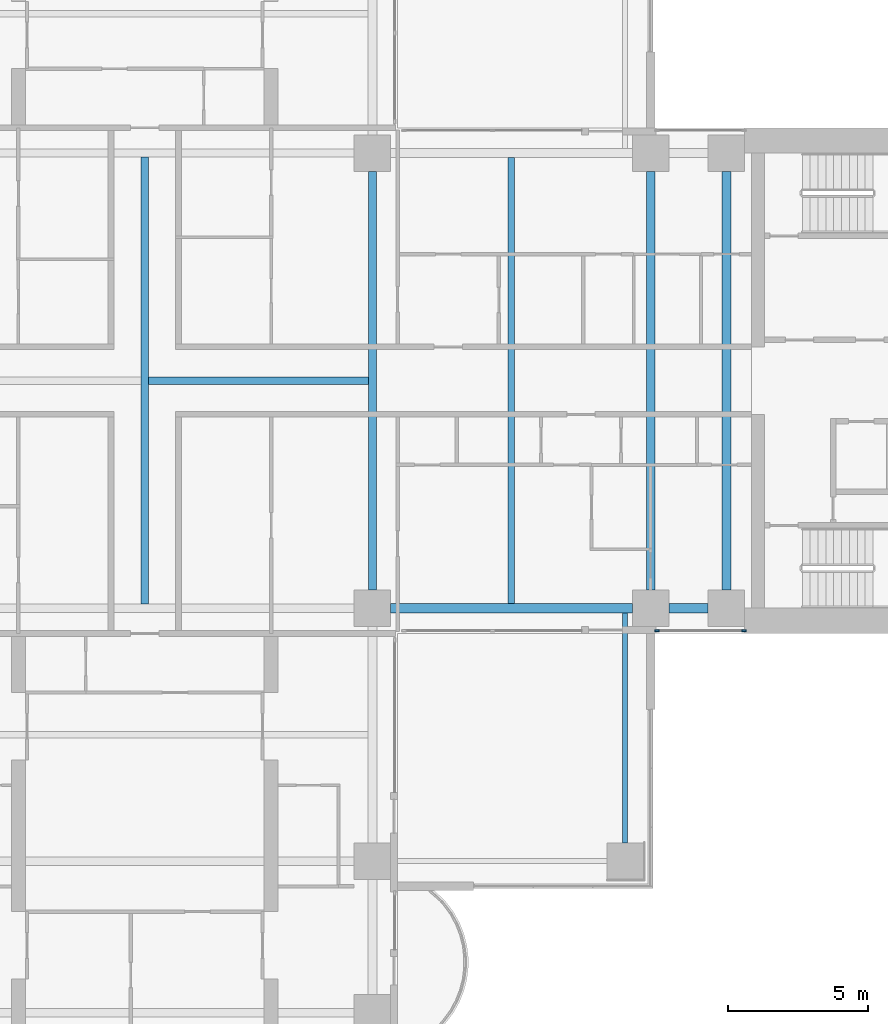
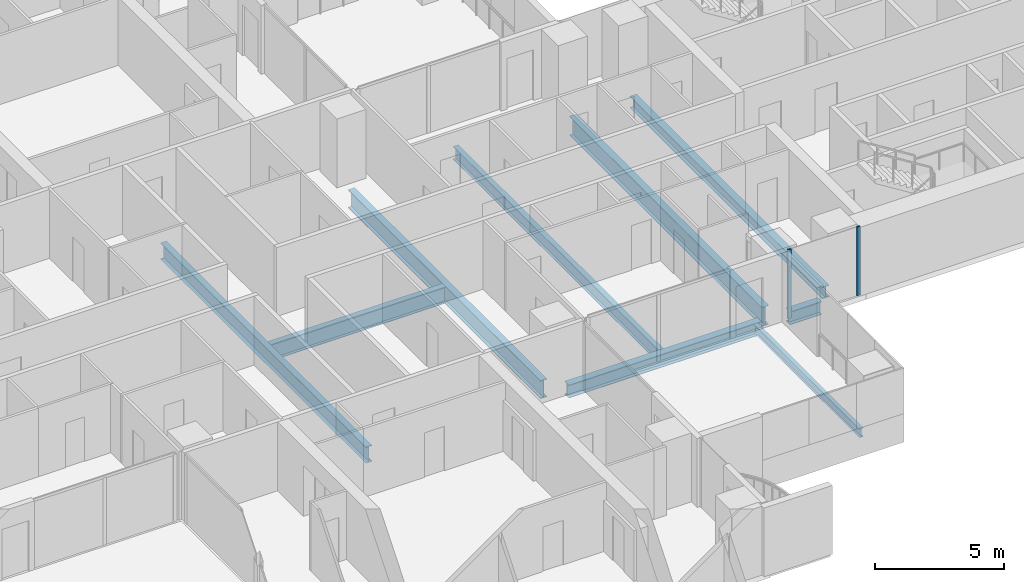
# One storey, part 4 of 21: 9 beams, 2 members, 1 element without a shape of its own.
"""IFC4 building model written with IfcOpenShell, lengths in metres."""

import ifcopenshell
import ifcopenshell.guid

model = None  # the IFC model being written
_history = None  # IfcOwnerHistory: only IFC2X3 demands one
_inside = {}  # id of a spatial element -> (the spatial element, [elements in it])
_under = {}  # id of a project, library or spatial element -> (it, [spatial elements below it])
_declared = {}  # id of a project -> (the project, [libraries it declares])
_typed = {}  # id of a type object -> (the type object, [elements of that type])
_made_of = {}  # id of a material, layer set ... -> (it, [elements and type objects made of it])


def new_model(schema):
    """Start an empty IFC model of exactly this schema.

    Asked for "IFC4X3", IfcOpenShell would pick the latest addendum, in which some entities
    have other attributes; the version numbers below select the first issue.
    IFC2X3 requires an IfcOwnerHistory on every rooted entity: one is made here for all.
    """
    global model, _history
    if schema == "IFC4X3":
        model = ifcopenshell.file(schema_version=(4, 3, 0, 0))
    else:
        model = ifcopenshell.file(schema=schema)
    _inside.clear()
    _under.clear()
    _declared.clear()
    _typed.clear()
    _made_of.clear()
    _history = None
    if model.schema == "IFC2X3":
        org = make("IfcOrganization", Name="unknown")
        user = make(
            "IfcPersonAndOrganization",
            ThePerson=make("IfcPerson", FamilyName="unknown"),
            TheOrganization=org,
        )
        app = make(
            "IfcApplication",
            ApplicationDeveloper=org,
            Version="unknown",
            ApplicationFullName="unknown",
            ApplicationIdentifier="unknown",
        )
        _history = make(
            "IfcOwnerHistory",
            OwningUser=user,
            OwningApplication=app,
            ChangeAction="ADDED",
            CreationDate=0,
        )
    return model


def make(cls, **values):
    """One entity of the class cls with the attributes given. An attribute that is None is left unset."""
    return model.create_entity(
        cls, **{name: value for name, value in values.items() if value is not None}
    )


def rooted(cls, **values):
    """An entity with a GlobalId (a new one), such as an element, a storey or a relation."""
    return make(cls, GlobalId=ifcopenshell.guid.new(), OwnerHistory=_history, **values)


def si_unit(unit_type, name, prefix=None):
    """IfcSIUnit, for example si_unit("LENGTHUNIT", "METRE", prefix="MILLI")."""
    return make("IfcSIUnit", UnitType=unit_type, Prefix=prefix, Name=name)


def assignment(units):
    """IfcUnitAssignment: the units of a project."""
    return None if units is None else make("IfcUnitAssignment", Units=units)


def point(xyz):
    """IfcCartesianPoint."""
    return None if xyz is None else make("IfcCartesianPoint", Coordinates=xyz)


def direction(xyz):
    """IfcDirection."""
    return None if xyz is None else make("IfcDirection", DirectionRatios=xyz)


def frame(location, z_axis=None, x_axis=None):
    """IfcAxis2Placement3D, a coordinate frame: its origin and axes. An axis left out is left unset."""
    return make(
        "IfcAxis2Placement3D",
        Location=point(location),
        Axis=direction(z_axis),
        RefDirection=direction(x_axis),
    )


def frame_2d(location, x_axis=None):
    """IfcAxis2Placement2D, a coordinate frame in the plane: its origin and x axis."""
    return make(
        "IfcAxis2Placement2D", Location=point(location), RefDirection=direction(x_axis)
    )


def origin():
    """The frame at (0, 0, 0) with its axes left unset."""
    return frame((0.0, 0.0, 0.0))


def origin_2d():
    """The frame at (0, 0) in the plane with its x axis left unset."""
    return frame_2d((0.0, 0.0))


def place(relative_to, where):
    """IfcLocalPlacement: puts the frame where relative to a parent placement (None: the world)."""
    return make(
        "IfcLocalPlacement", PlacementRelTo=relative_to, RelativePlacement=where
    )


def context(
    kind, dimensions, precision=None, world=None, true_north=None, identifier=None
):
    """IfcGeometricRepresentationContext, for example the 3D "Model" context."""
    return make(
        "IfcGeometricRepresentationContext",
        ContextIdentifier=identifier,
        ContextType=kind,
        CoordinateSpaceDimension=dimensions,
        Precision=precision,
        WorldCoordinateSystem=world,
        TrueNorth=true_north,
    )


def subcontext(parent, identifier, kind, view, scale=None):
    """IfcGeometricRepresentationSubContext, for example "Body" below "Model"."""
    return make(
        "IfcGeometricRepresentationSubContext",
        ContextIdentifier=identifier,
        ContextType=kind,
        ParentContext=parent,
        TargetScale=scale,
        TargetView=view,
    )


def project(units=None, contexts=None):
    """IfcProject with its units and contexts."""
    return rooted(
        "IfcProject",
        Name="project",
        RepresentationContexts=contexts,
        UnitsInContext=assignment(units),
    )


def spatial(cls, under=None, at=None, **own):
    """A site, building, storey or space (cls), placed at a placement, below another one or the project."""
    s = rooted(cls, ObjectPlacement=at, **own)
    if under is not None:
        _under.setdefault(under.id(), (under, []))[1].append(s)
    return s


def profile(cls, at=None, kind="AREA", **sizes):
    """A parametric profile (cls). Its sizes go by their IFC names, for example OverallWidth=200.0."""
    return make(cls, ProfileType=kind, Position=at, **sizes)


def rectangle(**sizes):
    """IfcRectangleProfileDef."""
    return profile("IfcRectangleProfileDef", **sizes)


def i_section(**sizes):
    """IfcIShapeProfileDef."""
    return profile("IfcIShapeProfileDef", **sizes)


def extrude(swept, where, along, depth):
    """IfcExtrudedAreaSolid: the profile swept, set in the frame where, extruded along a direction by depth."""
    return make(
        "IfcExtrudedAreaSolid",
        SweptArea=swept,
        Position=where,
        ExtrudedDirection=direction(along),
        Depth=depth,
    )


def shape(context_of_items, identifier, shape_type, items):
    """IfcShapeRepresentation: the items that make up one representation, for example the "Body"."""
    return make(
        "IfcShapeRepresentation",
        ContextOfItems=context_of_items,
        RepresentationIdentifier=identifier,
        RepresentationType=shape_type,
        Items=items,
    )


def material(Name=None, Category=None):
    """IfcMaterial."""
    return make("IfcMaterial", Name=Name, Category=Category)


def material_profile(
    of_material, cross_section, Name=None, Category=None, Priority=None
):
    """IfcMaterialProfile: a cross section and its material."""
    return make(
        "IfcMaterialProfile",
        Name=Name,
        Material=of_material,
        Profile=cross_section,
        Priority=Priority,
        Category=Category,
    )


def profile_set(profiles, Name=None, composite=None):
    """IfcMaterialProfileSet."""
    return make(
        "IfcMaterialProfileSet",
        Name=Name,
        MaterialProfiles=profiles,
        CompositeProfile=composite,
    )


def made_of(thing, what):
    """Note that an element or type object is made of a material, layer set ...; save() writes the relation."""
    if what is not None:
        _made_of.setdefault(what.id(), (what, []))[1].append(thing)
    return thing


def type_object(cls, material=None, **own):
    """A type object (cls), such as IfcWallType, which elements share."""
    return made_of(rooted(cls, **own), material)


def element(
    cls,
    number,
    at=None,
    inside=None,
    cuts=None,
    type_object=None,
    material=None,
    context=None,
    identifier="Body",
    shape_type=None,
    held_by="IfcProductDefinitionShape",
    body=None,
    shapes=None,
    **own,
):
    """One element of the class cls, such as IfcWall. Its Tag is "e" and its number.

    at: its placement. inside: the storey or other place that contains it. cuts: it is an
    opening in that element (IfcRelVoidsElement). A single representation is given by context,
    identifier, shape_type and body (its items); several are given by shapes. held_by: the class
    of the entity that holds the representations. save() writes the other relations.
    """
    e = rooted(cls, Tag="e%d" % number, ObjectPlacement=at, **own)
    if body is not None:
        shapes = [shape(context, identifier, shape_type, body)]
    if shapes is not None:
        e.Representation = make(held_by, Representations=shapes)
    if inside is not None:
        _inside.setdefault(inside.id(), (inside, []))[1].append(e)
    if cuts is not None:
        rooted(
            "IfcRelVoidsElement", RelatingBuildingElement=cuts, RelatedOpeningElement=e
        )
    if type_object is not None:
        _typed.setdefault(type_object.id(), (type_object, []))[1].append(e)
    return made_of(e, material)


def aggregate(whole, parts):
    """IfcRelAggregates: a whole, such as a stair, and the parts it consists of."""
    return rooted("IfcRelAggregates", RelatingObject=whole, RelatedObjects=parts)


def save(model, path):
    """Write the relations noted so far, then the file.

    IfcRelAggregates (storeys below a building ...), IfcRelContainedInSpatialStructure (elements
    in a storey), IfcRelDefinesByType, IfcRelAssociatesMaterial and IfcRelDeclares: one each for
    every whole, place, type object, material and project.
    """
    for whole, parts in _under.values():
        aggregate(whole, parts)
    for where, things in _inside.values():
        rooted(
            "IfcRelContainedInSpatialStructure",
            RelatedElements=things,
            RelatingStructure=where,
        )
    for kind, things in _typed.values():
        rooted("IfcRelDefinesByType", RelatedObjects=things, RelatingType=kind)
    for what, things in _made_of.values():
        rooted("IfcRelAssociatesMaterial", RelatedObjects=things, RelatingMaterial=what)
    for by, libraries in _declared.values():
        rooted("IfcRelDeclares", RelatingContext=by, RelatedDefinitions=libraries)
    model.write(path)


model = new_model("IFC4")

# Units and contexts
model_context = context("Model", 3, precision=1e-05, world=origin(), true_north=direction((0.0, 1.0)))
body_context = subcontext(model_context, "Body", "Model", "MODEL_VIEW")
ifc_project = project(units=[si_unit("LENGTHUNIT", "METRE"), si_unit("AREAUNIT", "SQUARE_METRE"), si_unit("VOLUMEUNIT", "CUBIC_METRE"), si_unit("PLANEANGLEUNIT", "RADIAN"), si_unit("MASSUNIT", "GRAM", prefix="KILO")], contexts=[model_context])

# Site, building, storey
site_placement = place(None, origin())
site = spatial("IfcSite", under=ifc_project, at=site_placement, CompositionType="ELEMENT")
building_placement = place(site_placement, origin())
building = spatial("IfcBuilding", under=site, at=building_placement, Name="Perihelion Cross Residences", CompositionType="ELEMENT")
storey_placement = place(building_placement, frame((0.0, 0.0, 64.5)))
storey = spatial("IfcBuildingStorey", under=building, at=storey_placement, Name="L13", CompositionType="ELEMENT", Elevation=64.5)

# Curtain wall, members
ifc_material_1 = material(Name="Bronze anodised aluminium, tinted glazing", Category="aluminium")
curtain_wall_type = type_object("IfcCurtainWallType", Name="CW1", PredefinedType="NOTDEFINED", material=ifc_material_1)
curtain_wall_placement = place(storey_placement, origin())
curtain_wall = element("IfcCurtainWall", 1, at=curtain_wall_placement, inside=storey, type_object=curtain_wall_type, Name="Curtain wall CW1 L13 east side south bay 2", PredefinedType="NOTDEFINED")
ifc_material_2 = material(Name="Bronze anodised aluminium", Category="aluminium")
ifc_material_profile_1 = material_profile(ifc_material_2, rectangle(XDim=0.06005859375, YDim=0.159912109375, at=origin_2d()), Name="CW1 mullion")
ifc_profile_set_1 = profile_set([ifc_material_profile_1], Name="Bronze anodised aluminium")
member_type = type_object("IfcMemberType", Name="CW1 mullion", PredefinedType="MULLION", material=ifc_profile_set_1)
member_1_placement = place(storey_placement, frame((18.22998046875, -8.89990234375, 0.0), z_axis=(0.0, 0.0, 1.0), x_axis=(0.0, 1.0, 0.0)))
member_1 = element("IfcMember", 2, at=member_1_placement, type_object=member_type, Name="CW1 mullion 1", PredefinedType="MULLION", context=body_context, shape_type="SweptSolid", body=[
    extrude(rectangle(XDim=0.06005859375, YDim=0.159912109375, at=origin_2d()), origin(), (0.0, 0.0, 1.0), 3.25),
])
member_2_placement = place(storey_placement, frame((21.320068359375, -8.89990234375, 0.0), z_axis=(0.0, 0.0, 1.0), x_axis=(0.0, 1.0, 0.0)))
member_2 = element("IfcMember", 3, at=member_2_placement, type_object=member_type, Name="CW1 mullion 2", PredefinedType="MULLION", context=body_context, shape_type="SweptSolid", body=[
    extrude(rectangle(XDim=0.06005859375, YDim=0.159912109375, at=origin_2d()), origin(), (0.0, 0.0, 1.0), 3.25),
])
aggregate(curtain_wall, [member_1, member_2])

# Beams
ifc_material_3 = material(Name="Steel S355", Category="steel")
ifc_material_profile_2 = material_profile(ifc_material_3, i_section(OverallWidth=0.177978515625, OverallDepth=0.406005859375, WebThickness=0.0078125, FlangeThickness=0.0126953125, at=origin_2d()), Name="W410x60")
ifc_profile_set_2 = profile_set([ifc_material_profile_2], Name="Steel S355")
beam_type_1 = type_object("IfcBeamType", Name="Core edge beam W410x60", PredefinedType="BEAM", material=ifc_profile_set_2)
beam_1_placement = place(storey_placement, frame((17.10009765625, -8.262451171875, -0.452880859375), z_axis=(0.0, -1.0, 0.0), x_axis=(1.0, 0.0, 0.0)))
element("IfcBeam", 4, at=beam_1_placement, inside=storey, type_object=beam_type_1, Name="Core edge beam TB2 L13 corner no. 5", PredefinedType="BEAM", context=body_context, shape_type="SweptSolid", body=[
    extrude(i_section(OverallWidth=0.177978515625, OverallDepth=0.406005859375, WebThickness=0.0078125, FlangeThickness=0.0126953125, at=origin_2d()), origin(), (0.0, 0.0, 1.0), 8.1875),
])
ifc_material_4 = material(Name="Steel S355", Category="steel")
ifc_material_profile_3 = material_profile(ifc_material_4, i_section(OverallWidth=0.31201171875, OverallDepth=0.5439453125, WebThickness=0.0126953125, FlangeThickness=0.020263671875, at=origin_2d()), Name="W530x150")
ifc_profile_set_3 = profile_set([ifc_material_profile_3], Name="Steel S355")
beam_type_2 = type_object("IfcBeamType", Name="Core edge beam W530x150", PredefinedType="BEAM", material=ifc_profile_set_3)
beam_2_placement = place(storey_placement, frame((20.699951171875, -7.449951171875, -0.52197265625), z_axis=(0.0, 1.0, 0.0), x_axis=(-1.0, 0.0, 0.0)))
element("IfcBeam", 5, at=beam_2_placement, inside=storey, type_object=beam_type_2, Name="Core edge beam TB4 L13 no. 2", PredefinedType="BEAM", context=body_context, shape_type="SweptSolid", body=[
    extrude(i_section(OverallWidth=0.31201171875, OverallDepth=0.5439453125, WebThickness=0.0126953125, FlangeThickness=0.020263671875, at=origin_2d()), origin(), (0.0, 0.0, 1.0), 14.89990234375),
])
ifc_material_5 = material(Name="Steel S355", Category="steel")
ifc_material_profile_4 = material_profile(ifc_material_5, i_section(OverallWidth=0.324951171875, OverallDepth=0.616943359375, WebThickness=0.013916015625, FlangeThickness=0.021484375, at=origin_2d()), Name="W610x174")
ifc_profile_set_4 = profile_set([ifc_material_profile_4], Name="Steel S355")
beam_type_3 = type_object("IfcBeamType", Name="Edge beam W610x174", PredefinedType="SPANDREL", material=ifc_profile_set_4)
beam_3_placement = place(storey_placement, frame((8.75, -8.10009765625, -0.55859375), z_axis=(1.0, 0.0, 0.0), x_axis=(0.0, 1.0, 0.0)))
element("IfcBeam", 6, at=beam_3_placement, inside=storey, type_object=beam_type_3, Name="Edge beam SB2 L13 no. 18", PredefinedType="SPANDREL", context=body_context, shape_type="SweptSolid", body=[
    extrude(i_section(OverallWidth=0.324951171875, OverallDepth=0.616943359375, WebThickness=0.013916015625, FlangeThickness=0.021484375, at=origin_2d()), origin(), (0.0, 0.0, 1.0), 8.60009765625),
])
beam_4_placement = place(storey_placement, frame((18.64990234375, -8.10009765625, -0.55859375), z_axis=(1.0, 0.0, 0.0), x_axis=(0.0, 1.0, 0.0)))
element("IfcBeam", 7, at=beam_4_placement, inside=storey, type_object=beam_type_3, Name="Edge beam SB2 L13 no. 12", PredefinedType="SPANDREL", context=body_context, shape_type="SweptSolid", body=[
    extrude(i_section(OverallWidth=0.324951171875, OverallDepth=0.616943359375, WebThickness=0.013916015625, FlangeThickness=0.021484375, at=origin_2d()), origin(), (0.0, 0.0, 1.0), 1.400146484375),
])
ifc_material_6 = material(Name="Steel S355", Category="steel")
ifc_material_profile_5 = material_profile(ifc_material_6, i_section(OverallWidth=0.304931640625, OverallDepth=0.904052734375, WebThickness=0.01513671875, FlangeThickness=0.02001953125, at=origin_2d()), Name="W920x201")
ifc_profile_set_5 = profile_set([ifc_material_profile_5], Name="Steel S355")
beam_type_4 = type_object("IfcBeamType", Name="Floor girder W920x201", PredefinedType="BEAM", material=ifc_profile_set_5)
beam_5_placement = place(storey_placement, frame((18.0, -7.449951171875, -0.701904296875), z_axis=(0.0, 1.0, 0.0), x_axis=(-1.0, 0.0, 0.0)))
element("IfcBeam", 8, at=beam_5_placement, inside=storey, type_object=beam_type_4, Name="Girder G2 L13 no. 2", PredefinedType="BEAM", context=body_context, shape_type="SweptSolid", body=[
    extrude(i_section(OverallWidth=0.304931640625, OverallDepth=0.904052734375, WebThickness=0.01513671875, FlangeThickness=0.02001953125, at=origin_2d()), origin(), (0.0, 0.0, 1.0), 14.89990234375),
])
ifc_material_7 = material(Name="Steel S355", Category="steel")
ifc_material_profile_6 = material_profile(ifc_material_7, i_section(OverallWidth=0.22900390625, OverallDepth=0.612060546875, WebThickness=0.011962890625, FlangeThickness=0.01953125, at=origin_2d()), Name="W610x125")
ifc_profile_set_6 = profile_set([ifc_material_profile_6], Name="Steel S355")
beam_type_5 = type_object("IfcBeamType", Name="Floor joist W610x125", PredefinedType="JOIST", material=ifc_profile_set_6)
beam_6_placement = place(storey_placement, frame((13.050048828125, -7.9375, -0.555908203125), z_axis=(0.0, 1.0, 0.0), x_axis=(-1.0, 0.0, 0.0)))
element("IfcBeam", 9, at=beam_6_placement, inside=storey, type_object=beam_type_5, Name="Joist J3 L13 no. 2", PredefinedType="JOIST", context=body_context, shape_type="SweptSolid", body=[
    extrude(i_section(OverallWidth=0.22900390625, OverallDepth=0.612060546875, WebThickness=0.011962890625, FlangeThickness=0.01953125, at=origin_2d()), origin(), (0.0, 0.0, 1.0), 15.875),
])
ifc_material_8 = material(Name="Steel S355", Category="steel")
ifc_material_profile_7 = material_profile(ifc_material_8, i_section(OverallWidth=0.26708984375, OverallDepth=0.77001953125, WebThickness=0.015625, FlangeThickness=0.025390625, at=origin_2d()), Name="W760x196")
ifc_profile_set_7 = profile_set([ifc_material_profile_7], Name="Steel S355")
beam_type_6 = type_object("IfcBeamType", Name="Hub cross beam W760x196", PredefinedType="BEAM", material=ifc_profile_set_7)
beam_7_placement = place(storey_placement, frame((0.0, -7.9541015625, -0.635009765625), z_axis=(0.0, 1.0, 0.0), x_axis=(-1.0, 0.0, 0.0)))
element("IfcBeam", 10, at=beam_7_placement, inside=storey, type_object=beam_type_6, Name="Hub cross beam XB2 L13 no. 1", PredefinedType="BEAM", context=body_context, shape_type="SweptSolid", body=[
    extrude(i_section(OverallWidth=0.26708984375, OverallDepth=0.77001953125, WebThickness=0.015625, FlangeThickness=0.025390625, at=origin_2d()), origin(), (0.0, 0.0, 1.0), 15.908203125),
])
beam_8_placement = place(storey_placement, frame((0.133544921875, 0.0, -0.635009765625), z_axis=(1.0, 0.0, 0.0), x_axis=(0.0, 1.0, 0.0)))
element("IfcBeam", 11, at=beam_8_placement, inside=storey, type_object=beam_type_6, Name="Hub cross beam XB2 L13 2 no. 1", PredefinedType="BEAM", context=body_context, shape_type="SweptSolid", body=[
    extrude(i_section(OverallWidth=0.26708984375, OverallDepth=0.77001953125, WebThickness=0.015625, FlangeThickness=0.025390625, at=origin_2d()), origin(), (0.0, 0.0, 1.0), 7.820556640625),
])
ifc_material_9 = material(Name="Steel S355", Category="steel")
ifc_material_profile_8 = material_profile(ifc_material_9, i_section(OverallWidth=0.2919921875, OverallDepth=0.85888671875, WebThickness=0.01708984375, FlangeThickness=0.031005859375, at=origin_2d()), Name="W840x251")
ifc_profile_set_8 = profile_set([ifc_material_profile_8], Name="Steel S355")
beam_type_7 = type_object("IfcBeamType", Name="Hub ring girder W840x251", PredefinedType="BEAM", material=ifc_profile_set_8)
beam_9_placement = place(storey_placement, frame((8.10009765625, -7.449951171875, -0.679443359375), z_axis=(0.0, 1.0, 0.0), x_axis=(-1.0, 0.0, 0.0)))
element("IfcBeam", 12, at=beam_9_placement, inside=storey, type_object=beam_type_7, Name="Hub ring girder RG2 L13 no. 3", PredefinedType="BEAM", context=body_context, shape_type="SweptSolid", body=[
    extrude(i_section(OverallWidth=0.2919921875, OverallDepth=0.85888671875, WebThickness=0.01708984375, FlangeThickness=0.031005859375, at=origin_2d()), origin(), (0.0, 0.0, 1.0), 14.89990234375),
])

save(model, "model.ifc")
